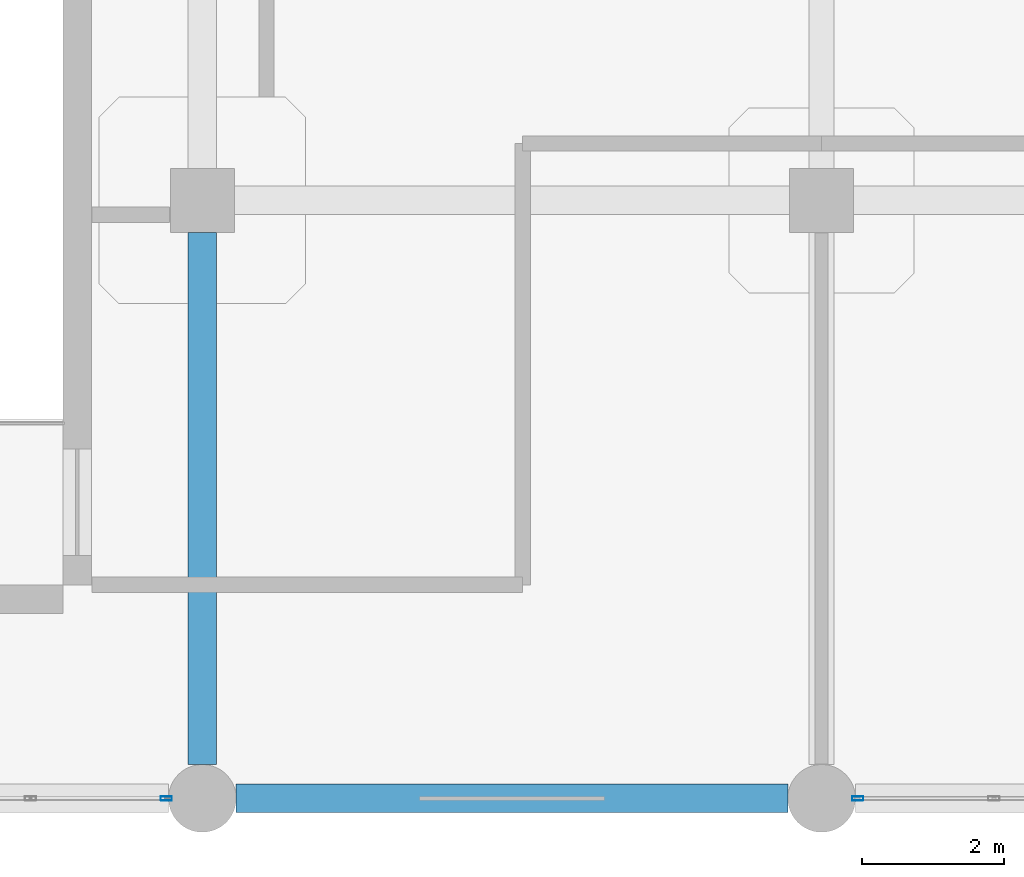
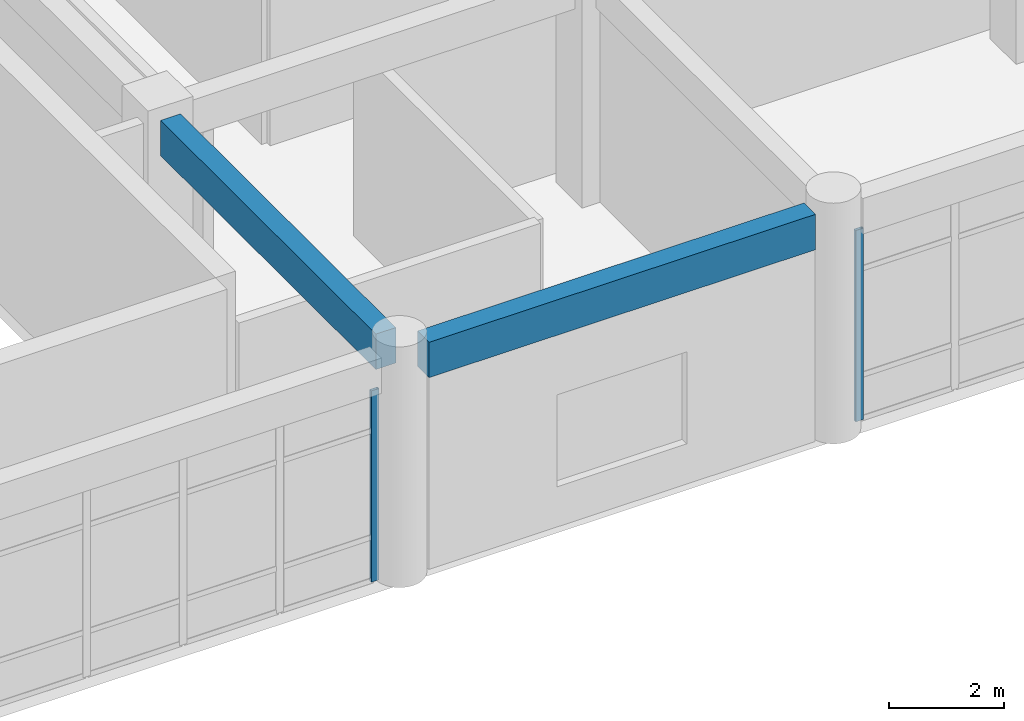
# One storey, part 30 of 120: 2 beams, 2 members, 2 elements without a shape of their own.
"""IFC4 building model written with IfcOpenShell, lengths in metres."""

from ifc_helpers import new_model, si_unit, derived_unit, direction, frame, origin, origin_2d, place, context, subcontext, project, spatial, rectangle, hollow_rectangle, extrude, material, layer, layer_set, material_profile, profile_set, type_object, element, aggregate, save


model = new_model("IFC4")

# Units and contexts
model_context = context("Model", 3, precision=1e-05, world=origin(), true_north=direction((0.0, 1.0)))
body_context = subcontext(model_context, "Body", "Model", "MODEL_VIEW")
ifc_project = project(units=[si_unit("LENGTHUNIT", "METRE"), si_unit("AREAUNIT", "SQUARE_METRE"), si_unit("VOLUMEUNIT", "CUBIC_METRE"), si_unit("PLANEANGLEUNIT", "RADIAN"), si_unit("MASSUNIT", "GRAM", prefix="KILO"), derived_unit("THERMALTRANSMITTANCEUNIT", [(si_unit("MASSUNIT", "GRAM", prefix="KILO"), 1), (si_unit("TIMEUNIT", "SECOND"), -3), (si_unit("THERMODYNAMICTEMPERATUREUNIT", "KELVIN"), -1)])], contexts=[model_context])

# Site, building, storey
site_placement = place(None, origin())
site = spatial("IfcSite", under=ifc_project, at=site_placement, CompositionType="ELEMENT")
building_placement = place(site_placement, origin())
building = spatial("IfcBuilding", under=site, at=building_placement, Name="Qinzheling Arcade Emporium", CompositionType="ELEMENT")
storey_placement = place(building_placement, frame((0.0, 0.0, 11.39990234375)))
storey = spatial("IfcBuildingStorey", under=building, at=storey_placement, Name="L03", CompositionType="ELEMENT", Elevation=11.39990234375)

# Curtain wall, member
ifc_material_1 = material(Name="Anodised aluminium and solar-control double glazing", Category="aluminium")
ifc_layer_1 = layer(ifc_material_1, 0.159912109375, Name="Anodised aluminium and solar-control double glazing", Category="aluminium")
ifc_layer_set_1 = layer_set([ifc_layer_1], Name="Anodised aluminium and solar-control double glazing")
curtain_wall_type_1 = type_object("IfcCurtainWallType", Name="Food Hall Loggia Curtain Wall", PredefinedType="NOTDEFINED", material=ifc_layer_set_1)
curtain_wall_1_placement = place(storey_placement, origin())
curtain_wall_1 = element("IfcCurtainWall", 1, at=curtain_wall_1_placement, inside=storey, type_object=curtain_wall_type_1, Name="Curtain Wall CW-L03-138", PredefinedType="NOTDEFINED")
ifc_material_2 = material(Name="Anodised aluminium 6063-T6", Category="aluminium")
ifc_material_profile_1 = material_profile(ifc_material_2, hollow_rectangle(XDim=0.06005859375, YDim=0.159912109375, WallThickness=0.00390625, InnerFilletRadius=0.00390625, OuterFilletRadius=0.008056640625, at=origin_2d()), Name="RHS 160x60x4", Category="aluminium")
ifc_profile_set_1 = profile_set([ifc_material_profile_1], Name="Anodised aluminium 6063-T6")
member_type = type_object("IfcMemberType", Name="Curtain Wall Mullion RHS160x60", PredefinedType="MULLION", material=ifc_profile_set_1)
member_1_placement = place(storey_placement, frame((122.306884765625, 0.0, 0.0), z_axis=(0.0, 0.0, 1.0), x_axis=(0.0, -1.0, 0.0)))
member_1 = element("IfcMember", 2, at=member_1_placement, type_object=member_type, Name="CW04 mullion 5", PredefinedType="MULLION", context=body_context, shape_type="SweptSolid", body=[
    extrude(hollow_rectangle(XDim=0.06005859375, YDim=0.159912109375, WallThickness=0.00390625, InnerFilletRadius=0.00390625, OuterFilletRadius=0.008056640625, at=origin_2d()), origin(), (0.0, 0.0, 1.0), 4.05517578125),
])
aggregate(curtain_wall_1, [member_1])

ifc_layer_2 = layer(ifc_material_1, 0.159912109375, Name="Anodised aluminium and solar-control double glazing", Category="aluminium")
ifc_layer_set_2 = layer_set([ifc_layer_2], Name="Anodised aluminium and solar-control double glazing")
curtain_wall_type_2 = type_object("IfcCurtainWallType", Name="Arcade Portal Glazed Curtain Wall", PredefinedType="NOTDEFINED", material=ifc_layer_set_2)
curtain_wall_2_placement = place(storey_placement, origin())
curtain_wall_2 = element("IfcCurtainWall", 3, at=curtain_wall_2_placement, inside=storey, type_object=curtain_wall_type_2, Name="Curtain Wall CW-L03-139", PredefinedType="NOTDEFINED")
member_2_placement = place(storey_placement, frame((112.593017578125, 0.0, 0.0), z_axis=(0.0, 0.0, 1.0), x_axis=(0.0, -1.0, 0.0)))
member_2 = element("IfcMember", 4, at=member_2_placement, type_object=member_type, Name="CW05 mullion 1", PredefinedType="MULLION", context=body_context, shape_type="SweptSolid", body=[
    extrude(hollow_rectangle(XDim=0.06005859375, YDim=0.159912109375, WallThickness=0.00390625, InnerFilletRadius=0.00390625, OuterFilletRadius=0.008056640625, at=origin_2d()), origin(), (0.0, 0.0, 1.0), 4.05517578125),
])
aggregate(curtain_wall_2, [member_2])

# Beams
ifc_material_3 = material(Name="Concrete C40", Category="concrete")
ifc_material_profile_2 = material_profile(ifc_material_3, rectangle(XDim=0.39990234375, YDim=0.75, at=origin_2d()), Name="RC 400x750", Category="concrete")
ifc_profile_set_2 = profile_set([ifc_material_profile_2], Name="Concrete C40")
beam_type = type_object("IfcBeamType", Name="RC Interior Tie Beam 400x750 C40", PredefinedType="BEAM", material=ifc_profile_set_2)
beam_1_placement = place(storey_placement, frame((113.574951171875, 0.0, 4.445068359375), z_axis=(1.0, 0.0, 0.0), x_axis=(0.0, 1.0, 0.0)))
element("IfcBeam", 5, at=beam_1_placement, inside=storey, type_object=beam_type, Name="Beam BM-L03-X-A-14", PredefinedType="BEAM", context=body_context, shape_type="SweptSolid", body=[
    extrude(rectangle(XDim=0.39990234375, YDim=0.75, at=origin_2d()), origin(), (0.0, 0.0, 1.0), 7.75),
])
beam_2_placement = place(storey_placement, frame((113.10009765625, 0.47509765625, 4.445068359375), z_axis=(0.0, 1.0, 0.0), x_axis=(-1.0, 0.0, 0.0)))
element("IfcBeam", 6, at=beam_2_placement, inside=storey, type_object=beam_type, Name="Beam BM-L03-Y-14-A", PredefinedType="BEAM", context=body_context, shape_type="SweptSolid", body=[
    extrude(rectangle(XDim=0.39990234375, YDim=0.75, at=origin_2d()), origin(), (0.0, 0.0, 1.0), 7.474853515625),
])

save(model, "model.ifc")
